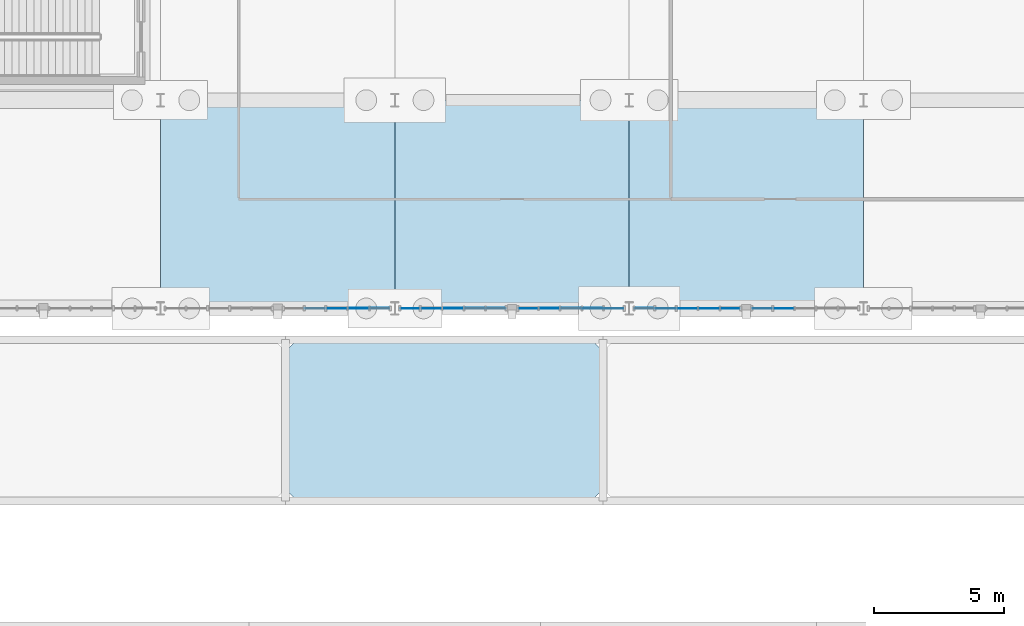
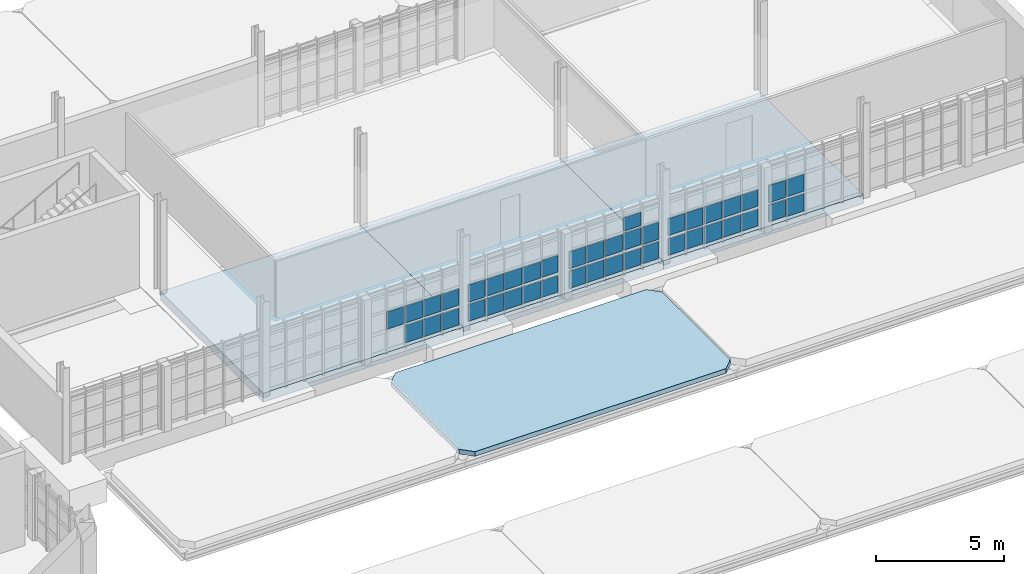
# One storey, part 85 of 125: 42 plates, 4 slabs, 5 elements without a shape of their own.
"""IFC4 building model written with IfcOpenShell, lengths in metres."""

from ifc_helpers import new_model, si_unit, direction, frame, origin, origin_2d, place, context, subcontext, project, spatial, polyline, rectangle, outline, extrude, material, layer, layer_set, type_object, element, aggregate, save


model = new_model("IFC4")

# Units and contexts
model_context = context("Model", 3, precision=1e-05, world=origin(), true_north=direction((0.0, 1.0)))
body_context = subcontext(model_context, "Body", "Model", "MODEL_VIEW")
ifc_project = project(units=[si_unit("LENGTHUNIT", "METRE"), si_unit("AREAUNIT", "SQUARE_METRE"), si_unit("VOLUMEUNIT", "CUBIC_METRE"), si_unit("PLANEANGLEUNIT", "RADIAN"), si_unit("MASSUNIT", "GRAM", prefix="KILO")], contexts=[model_context])

# Site, building, storey
site_placement = place(None, origin())
site = spatial("IfcSite", under=ifc_project, at=site_placement, CompositionType="ELEMENT")
building_placement = place(site_placement, origin())
building = spatial("IfcBuilding", under=site, at=building_placement, Name="Serraforn Aerial Cableway Station", CompositionType="ELEMENT")
storey_placement = place(building_placement, frame((0.0, 0.0, 4.5)))
storey = spatial("IfcBuildingStorey", under=building, at=storey_placement, Name="L01", CompositionType="ELEMENT", Elevation=4.5)

# Curtain wall, plates
ifc_material_1 = material(Name="Anodised bronze unitised curtain wall")
curtain_wall_type_1 = type_object("IfcCurtainWallType", Name="CW-SYS-17", PredefinedType="USERDEFINED", material=ifc_material_1)
curtain_wall_1_placement = place(storey_placement, origin())
curtain_wall_1 = element("IfcCurtainWall", 1, at=curtain_wall_1_placement, inside=storey, type_object=curtain_wall_type_1, Name="Unitised Curtain Wall CW-EL-L01-S4A", ObjectType="UNITISED CURTAIN WALL", PredefinedType="USERDEFINED")
ifc_material_2 = material(Name="Solar-control low-E double glazing", Category="glass")
ifc_layer_1 = layer(ifc_material_2, 0.02587890625)
ifc_layer_set_1 = layer_set([ifc_layer_1], Name="Solar-control low-E double glazing")
plate_type_1 = type_object("IfcPlateType", Name="CW-GLZ-1", PredefinedType="CURTAIN_PANEL", material=ifc_layer_set_1)
plate_1_placement = place(storey_placement, frame((123.43896484375, 26.0, 1.118896484375), z_axis=(0.0, 0.0, 1.0), x_axis=(1.0, 0.0, 0.0)))
plate_1 = element("IfcPlate", 2, at=plate_1_placement, type_object=plate_type_1, Name="Curtain Wall Panel CW-EL-L01-S4A-P3-2", PredefinedType="CURTAIN_PANEL", context=body_context, shape_type="SweptSolid", body=[
    extrude(rectangle(XDim=0.7734375, YDim=0.02587890625, at=origin_2d()), origin(), (0.0, 0.0, 1.0), 0.8125),
])
plate_2_placement = place(storey_placement, frame((124.26708984375, 26.0, 0.182861328125), z_axis=(0.0, 0.0, 1.0), x_axis=(1.0, 0.0, 0.0)))
plate_2 = element("IfcPlate", 3, at=plate_2_placement, type_object=plate_type_1, Name="Curtain Wall Panel CW-EL-L01-S4A-P4-1", PredefinedType="CURTAIN_PANEL", context=body_context, shape_type="SweptSolid", body=[
    extrude(rectangle(XDim=0.781005859375, YDim=0.02587890625, at=origin_2d()), origin(), (0.0, 0.0, 1.0), 0.8125),
])

# Curtain wall, plate
curtain_wall_type_2 = type_object("IfcCurtainWallType", Name="CW-SYS-18", PredefinedType="USERDEFINED", material=ifc_material_1)
curtain_wall_2_placement = place(storey_placement, origin())
curtain_wall_2 = element("IfcCurtainWall", 4, at=curtain_wall_2_placement, inside=storey, type_object=curtain_wall_type_2, Name="Unitised Curtain Wall CW-EL-L01-S4B", ObjectType="UNITISED CURTAIN WALL", PredefinedType="USERDEFINED")
plate_3_placement = place(storey_placement, frame((127.13671875, 26.0, 1.118896484375), z_axis=(0.0, 0.0, 1.0), x_axis=(1.0, 0.0, 0.0)))
plate_3 = element("IfcPlate", 5, at=plate_3_placement, type_object=plate_type_1, Name="Curtain Wall Panel CW-EL-L01-S4B-P2-2", PredefinedType="CURTAIN_PANEL", context=body_context, shape_type="SweptSolid", body=[
    extrude(rectangle(XDim=0.7734375, YDim=0.02587890625, at=origin_2d()), origin(), (0.0, 0.0, 1.0), 0.8125),
])

curtain_wall_type_3 = type_object("IfcCurtainWallType", Name="CW-SYS-13", PredefinedType="USERDEFINED", material=ifc_material_1)
curtain_wall_3_placement = place(storey_placement, origin())
curtain_wall_3 = element("IfcCurtainWall", 6, at=curtain_wall_3_placement, inside=storey, type_object=curtain_wall_type_3, Name="Unitised Curtain Wall CW-EL-L01-S3A", ObjectType="UNITISED CURTAIN WALL", PredefinedType="USERDEFINED")
ifc_layer_2 = layer(ifc_material_2, 0.028076171875)
ifc_layer_set_2 = layer_set([ifc_layer_2], Name="Solar-control low-E double glazing")
plate_type_2 = type_object("IfcPlateType", Name="CW-GLZ-2", PredefinedType="CURTAIN_PANEL", material=ifc_layer_set_2)
plate_4_placement = place(storey_placement, frame((112.781494140625, 26.0, 0.20556640625), z_axis=(0.0, 0.0, 1.0), x_axis=(1.0, 0.0, 0.0)))
plate_4 = element("IfcPlate", 7, at=plate_4_placement, type_object=plate_type_2, Name="Curtain Wall Panel CW-EL-L01-S3A-P1-1", PredefinedType="CURTAIN_PANEL", context=body_context, shape_type="SweptSolid", body=[
    extrude(rectangle(XDim=0.73095703125, YDim=0.028076171875, at=origin_2d()), origin(), (0.0, 0.0, 1.0), 0.802490234375),
])

# Plate
plate_5_placement = place(storey_placement, frame((124.26708984375, 26.0, 1.12646484375), z_axis=(0.0, 0.0, 1.0), x_axis=(1.0, 0.0, 0.0)))
plate_5 = element("IfcPlate", 8, at=plate_5_placement, type_object=plate_type_2, Name="Curtain Wall Panel CW-EL-L01-S4A-P4-2", PredefinedType="CURTAIN_PANEL", context=body_context, shape_type="SweptSolid", body=[
    extrude(rectangle(XDim=0.781005859375, YDim=0.028076171875, at=origin_2d()), origin(), (0.0, 0.0, 1.0), 0.797607421875),
])

plate_6_placement = place(storey_placement, frame((125.085205078125, 26.0, 0.1904296875), z_axis=(0.0, 0.0, 1.0), x_axis=(1.0, 0.0, 0.0)))
plate_6 = element("IfcPlate", 9, at=plate_6_placement, type_object=plate_type_2, Name="Curtain Wall Panel CW-EL-L01-S4A-P5-1", PredefinedType="CURTAIN_PANEL", context=body_context, shape_type="SweptSolid", body=[
    extrude(rectangle(XDim=0.743408203125, YDim=0.028076171875, at=origin_2d()), origin(), (0.0, 0.0, 1.0), 0.797607421875),
])

# Curtain wall, plates
curtain_wall_type_4 = type_object("IfcCurtainWallType", Name="CW-SYS-12", PredefinedType="USERDEFINED", material=ifc_material_1)
curtain_wall_4_placement = place(storey_placement, origin())
curtain_wall_4 = element("IfcCurtainWall", 10, at=curtain_wall_4_placement, inside=storey, type_object=curtain_wall_type_4, Name="Unitised Curtain Wall CW-EL-L01-S2B", ObjectType="UNITISED CURTAIN WALL", PredefinedType="USERDEFINED")
ifc_layer_3 = layer(ifc_material_2, 0.030029296875)
ifc_layer_set_3 = layer_set([ifc_layer_3], Name="Solar-control low-E double glazing")
plate_type_3 = type_object("IfcPlateType", Name="CW-GLZ-3", PredefinedType="CURTAIN_PANEL", material=ifc_layer_set_3)
plate_7_placement = place(storey_placement, frame((109.13037109375, 26.0, 1.11376953125), z_axis=(0.0, 0.0, 1.0), x_axis=(1.0, 0.0, 0.0)))
plate_7 = element("IfcPlate", 11, at=plate_7_placement, type_object=plate_type_3, Name="Curtain Wall Panel CW-EL-L01-S2B-P2-2", PredefinedType="CURTAIN_PANEL", context=body_context, shape_type="SweptSolid", body=[
    extrude(rectangle(XDim=0.765869140625, YDim=0.030029296875, at=origin_2d()), origin(), (0.0, 0.0, 1.0), 0.824951171875),
])
plate_8_placement = place(storey_placement, frame((109.970947265625, 26.0, 0.177734375), z_axis=(0.0, 0.0, 1.0), x_axis=(1.0, 0.0, 0.0)))
plate_8 = element("IfcPlate", 12, at=plate_8_placement, type_object=plate_type_3, Name="Curtain Wall Panel CW-EL-L01-S2B-P3-1", PredefinedType="CURTAIN_PANEL", context=body_context, shape_type="SweptSolid", body=[
    extrude(rectangle(XDim=0.7734375, YDim=0.030029296875, at=origin_2d()), origin(), (0.0, 0.0, 1.0), 0.824951171875),
])

# Plate
plate_9_placement = place(storey_placement, frame((112.781494140625, 26.0, 1.11376953125), z_axis=(0.0, 0.0, 1.0), x_axis=(1.0, 0.0, 0.0)))
plate_9 = element("IfcPlate", 13, at=plate_9_placement, type_object=plate_type_3, Name="Curtain Wall Panel CW-EL-L01-S3A-P1-2", PredefinedType="CURTAIN_PANEL", context=body_context, shape_type="SweptSolid", body=[
    extrude(rectangle(XDim=0.73095703125, YDim=0.030029296875, at=origin_2d()), origin(), (0.0, 0.0, 1.0), 0.824951171875),
])

plate_10_placement = place(storey_placement, frame((113.6044921875, 26.0, 0.177734375), z_axis=(0.0, 0.0, 1.0), x_axis=(1.0, 0.0, 0.0)))
plate_10 = element("IfcPlate", 14, at=plate_10_placement, type_object=plate_type_3, Name="Curtain Wall Panel CW-EL-L01-S3A-P2-1", PredefinedType="CURTAIN_PANEL", context=body_context, shape_type="SweptSolid", body=[
    extrude(rectangle(XDim=0.7734375, YDim=0.030029296875, at=origin_2d()), origin(), (0.0, 0.0, 1.0), 0.824951171875),
])

# Curtain wall, plate
curtain_wall_type_5 = type_object("IfcCurtainWallType", Name="CW-SYS-14", PredefinedType="USERDEFINED", material=ifc_material_1)
curtain_wall_5_placement = place(storey_placement, origin())
curtain_wall_5 = element("IfcCurtainWall", 15, at=curtain_wall_5_placement, inside=storey, type_object=curtain_wall_type_5, Name="Unitised Curtain Wall CW-EL-L01-S3B", ObjectType="UNITISED CURTAIN WALL", PredefinedType="USERDEFINED")
plate_11_placement = place(storey_placement, frame((117.32080078125, 26.0, 0.177734375), z_axis=(0.0, 0.0, 1.0), x_axis=(1.0, 0.0, 0.0)))
plate_11 = element("IfcPlate", 16, at=plate_11_placement, type_object=plate_type_3, Name="Curtain Wall Panel CW-EL-L01-S3B-P1-1", PredefinedType="CURTAIN_PANEL", context=body_context, shape_type="SweptSolid", body=[
    extrude(rectangle(XDim=0.73583984375, YDim=0.030029296875, at=origin_2d()), origin(), (0.0, 0.0, 1.0), 0.824951171875),
])

# Plate
plate_12_placement = place(storey_placement, frame((125.085205078125, 26.0, 1.1337890625), z_axis=(0.0, 0.0, 1.0), x_axis=(1.0, 0.0, 0.0)))
plate_12 = element("IfcPlate", 17, at=plate_12_placement, type_object=plate_type_3, Name="Curtain Wall Panel CW-EL-L01-S4A-P5-2", PredefinedType="CURTAIN_PANEL", context=body_context, shape_type="SweptSolid", body=[
    extrude(rectangle(XDim=0.743408203125, YDim=0.030029296875, at=origin_2d()), origin(), (0.0, 0.0, 1.0), 0.782470703125),
])

ifc_layer_4 = layer(ifc_material_2, 0.031982421875)
ifc_layer_set_4 = layer_set([ifc_layer_4], Name="Solar-control low-E double glazing")
plate_type_4 = type_object("IfcPlateType", Name="CW-GLZ-4", PredefinedType="CURTAIN_PANEL", material=ifc_layer_set_4)
plate_13_placement = place(storey_placement, frame((109.970947265625, 26.0, 1.118896484375), z_axis=(0.0, 0.0, 1.0), x_axis=(1.0, 0.0, 0.0)))
plate_13 = element("IfcPlate", 18, at=plate_13_placement, type_object=plate_type_4, Name="Curtain Wall Panel CW-EL-L01-S2B-P3-2", PredefinedType="CURTAIN_PANEL", context=body_context, shape_type="SweptSolid", body=[
    extrude(rectangle(XDim=0.7734375, YDim=0.031982421875, at=origin_2d()), origin(), (0.0, 0.0, 1.0), 0.8125),
])

plate_14_placement = place(storey_placement, frame((110.799072265625, 26.0, 0.182861328125), z_axis=(0.0, 0.0, 1.0), x_axis=(1.0, 0.0, 0.0)))
plate_14 = element("IfcPlate", 19, at=plate_14_placement, type_object=plate_type_4, Name="Curtain Wall Panel CW-EL-L01-S2B-P4-1", PredefinedType="CURTAIN_PANEL", context=body_context, shape_type="SweptSolid", body=[
    extrude(rectangle(XDim=0.781005859375, YDim=0.031982421875, at=origin_2d()), origin(), (0.0, 0.0, 1.0), 0.8125),
])

plate_15_placement = place(storey_placement, frame((113.6044921875, 26.0, 1.118896484375), z_axis=(0.0, 0.0, 1.0), x_axis=(1.0, 0.0, 0.0)))
plate_15 = element("IfcPlate", 20, at=plate_15_placement, type_object=plate_type_4, Name="Curtain Wall Panel CW-EL-L01-S3A-P2-2", PredefinedType="CURTAIN_PANEL", context=body_context, shape_type="SweptSolid", body=[
    extrude(rectangle(XDim=0.7734375, YDim=0.031982421875, at=origin_2d()), origin(), (0.0, 0.0, 1.0), 0.8125),
])

plate_16_placement = place(storey_placement, frame((114.4326171875, 26.0, 0.182861328125), z_axis=(0.0, 0.0, 1.0), x_axis=(1.0, 0.0, 0.0)))
plate_16 = element("IfcPlate", 21, at=plate_16_placement, type_object=plate_type_4, Name="Curtain Wall Panel CW-EL-L01-S3A-P3-1", PredefinedType="CURTAIN_PANEL", context=body_context, shape_type="SweptSolid", body=[
    extrude(rectangle(XDim=0.781005859375, YDim=0.031982421875, at=origin_2d()), origin(), (0.0, 0.0, 1.0), 0.8125),
])

plate_17_placement = place(storey_placement, frame((117.32080078125, 26.0, 1.118896484375), z_axis=(0.0, 0.0, 1.0), x_axis=(1.0, 0.0, 0.0)))
plate_17 = element("IfcPlate", 22, at=plate_17_placement, type_object=plate_type_4, Name="Curtain Wall Panel CW-EL-L01-S3B-P1-2", PredefinedType="CURTAIN_PANEL", context=body_context, shape_type="SweptSolid", body=[
    extrude(rectangle(XDim=0.73583984375, YDim=0.031982421875, at=origin_2d()), origin(), (0.0, 0.0, 1.0), 0.8125),
])

plate_18_placement = place(storey_placement, frame((118.13037109375, 26.0, 0.182861328125), z_axis=(0.0, 0.0, 1.0), x_axis=(1.0, 0.0, 0.0)))
plate_18 = element("IfcPlate", 23, at=plate_18_placement, type_object=plate_type_4, Name="Curtain Wall Panel CW-EL-L01-S3B-P2-1", PredefinedType="CURTAIN_PANEL", context=body_context, shape_type="SweptSolid", body=[
    extrude(rectangle(XDim=0.781005859375, YDim=0.031982421875, at=origin_2d()), origin(), (0.0, 0.0, 1.0), 0.8125),
])

ifc_layer_5 = layer(ifc_material_2, 0.033935546875)
ifc_layer_set_5 = layer_set([ifc_layer_5], Name="Solar-control low-E double glazing")
plate_type_5 = type_object("IfcPlateType", Name="CW-GLZ-5", PredefinedType="CURTAIN_PANEL", material=ifc_layer_set_5)
plate_19_placement = place(storey_placement, frame((110.799072265625, 26.0, 1.12646484375), z_axis=(0.0, 0.0, 1.0), x_axis=(1.0, 0.0, 0.0)))
plate_19 = element("IfcPlate", 24, at=plate_19_placement, type_object=plate_type_5, Name="Curtain Wall Panel CW-EL-L01-S2B-P4-2", PredefinedType="CURTAIN_PANEL", context=body_context, shape_type="SweptSolid", body=[
    extrude(rectangle(XDim=0.781005859375, YDim=0.033935546875, at=origin_2d()), origin(), (0.0, 0.0, 1.0), 0.797607421875),
])

plate_20_placement = place(storey_placement, frame((111.6171875, 26.0, 0.1904296875), z_axis=(0.0, 0.0, 1.0), x_axis=(1.0, 0.0, 0.0)))
plate_20 = element("IfcPlate", 25, at=plate_20_placement, type_object=plate_type_5, Name="Curtain Wall Panel CW-EL-L01-S2B-P5-1", PredefinedType="CURTAIN_PANEL", context=body_context, shape_type="SweptSolid", body=[
    extrude(rectangle(XDim=0.743408203125, YDim=0.033935546875, at=origin_2d()), origin(), (0.0, 0.0, 1.0), 0.797607421875),
])

plate_21_placement = place(storey_placement, frame((114.4326171875, 26.0, 1.12646484375), z_axis=(0.0, 0.0, 1.0), x_axis=(1.0, 0.0, 0.0)))
plate_21 = element("IfcPlate", 26, at=plate_21_placement, type_object=plate_type_5, Name="Curtain Wall Panel CW-EL-L01-S3A-P3-2", PredefinedType="CURTAIN_PANEL", context=body_context, shape_type="SweptSolid", body=[
    extrude(rectangle(XDim=0.781005859375, YDim=0.033935546875, at=origin_2d()), origin(), (0.0, 0.0, 1.0), 0.797607421875),
])

plate_22_placement = place(storey_placement, frame((115.26708984375, 26.0, 0.1904296875), z_axis=(0.0, 0.0, 1.0), x_axis=(1.0, 0.0, 0.0)))
plate_22 = element("IfcPlate", 27, at=plate_22_placement, type_object=plate_type_5, Name="Curtain Wall Panel CW-EL-L01-S3A-P4-1", PredefinedType="CURTAIN_PANEL", context=body_context, shape_type="SweptSolid", body=[
    extrude(rectangle(XDim=0.77587890625, YDim=0.033935546875, at=origin_2d()), origin(), (0.0, 0.0, 1.0), 0.797607421875),
])

plate_23_placement = place(storey_placement, frame((118.13037109375, 26.0, 1.12646484375), z_axis=(0.0, 0.0, 1.0), x_axis=(1.0, 0.0, 0.0)))
plate_23 = element("IfcPlate", 28, at=plate_23_placement, type_object=plate_type_5, Name="Curtain Wall Panel CW-EL-L01-S3B-P2-2", PredefinedType="CURTAIN_PANEL", context=body_context, shape_type="SweptSolid", body=[
    extrude(rectangle(XDim=0.781005859375, YDim=0.033935546875, at=origin_2d()), origin(), (0.0, 0.0, 1.0), 0.797607421875),
])

plate_24_placement = place(storey_placement, frame((118.964599609375, 26.0, 0.1904296875), z_axis=(0.0, 0.0, 1.0), x_axis=(1.0, 0.0, 0.0)))
plate_24 = element("IfcPlate", 29, at=plate_24_placement, type_object=plate_type_5, Name="Curtain Wall Panel CW-EL-L01-S3B-P3-1", PredefinedType="CURTAIN_PANEL", context=body_context, shape_type="SweptSolid", body=[
    extrude(rectangle(XDim=0.77587890625, YDim=0.033935546875, at=origin_2d()), origin(), (0.0, 0.0, 1.0), 0.797607421875),
])

ifc_layer_6 = layer(ifc_material_2, 0.035888671875)
ifc_layer_set_6 = layer_set([ifc_layer_6], Name="Solar-control low-E double glazing")
plate_type_6 = type_object("IfcPlateType", Name="CW-GLZ-6", PredefinedType="CURTAIN_PANEL", material=ifc_layer_set_6)
plate_25_placement = place(storey_placement, frame((111.6171875, 26.0, 1.1337890625), z_axis=(0.0, 0.0, 1.0), x_axis=(1.0, 0.0, 0.0)))
plate_25 = element("IfcPlate", 30, at=plate_25_placement, type_object=plate_type_6, Name="Curtain Wall Panel CW-EL-L01-S2B-P5-2", PredefinedType="CURTAIN_PANEL", context=body_context, shape_type="SweptSolid", body=[
    extrude(rectangle(XDim=0.743408203125, YDim=0.035888671875, at=origin_2d()), origin(), (0.0, 0.0, 1.0), 0.782470703125),
])

aggregate(curtain_wall_4, [plate_7, plate_8, plate_13, plate_14, plate_19, plate_20, plate_25])

plate_26_placement = place(storey_placement, frame((115.26708984375, 26.0, 1.1337890625), z_axis=(0.0, 0.0, 1.0), x_axis=(1.0, 0.0, 0.0)))
plate_26 = element("IfcPlate", 31, at=plate_26_placement, type_object=plate_type_6, Name="Curtain Wall Panel CW-EL-L01-S3A-P4-2", PredefinedType="CURTAIN_PANEL", context=body_context, shape_type="SweptSolid", body=[
    extrude(rectangle(XDim=0.77587890625, YDim=0.035888671875, at=origin_2d()), origin(), (0.0, 0.0, 1.0), 0.782470703125),
])

plate_27_placement = place(storey_placement, frame((116.083984375, 26.0, 0.19775390625), z_axis=(0.0, 0.0, 1.0), x_axis=(1.0, 0.0, 0.0)))
plate_27 = element("IfcPlate", 32, at=plate_27_placement, type_object=plate_type_6, Name="Curtain Wall Panel CW-EL-L01-S3A-P5-1", PredefinedType="CURTAIN_PANEL", context=body_context, shape_type="SweptSolid", body=[
    extrude(rectangle(XDim=0.73583984375, YDim=0.035888671875, at=origin_2d()), origin(), (0.0, 0.0, 1.0), 0.782470703125),
])

plate_28_placement = place(storey_placement, frame((118.964599609375, 26.0, 1.1337890625), z_axis=(0.0, 0.0, 1.0), x_axis=(1.0, 0.0, 0.0)))
plate_28 = element("IfcPlate", 33, at=plate_28_placement, type_object=plate_type_6, Name="Curtain Wall Panel CW-EL-L01-S3B-P3-2", PredefinedType="CURTAIN_PANEL", context=body_context, shape_type="SweptSolid", body=[
    extrude(rectangle(XDim=0.77587890625, YDim=0.035888671875, at=origin_2d()), origin(), (0.0, 0.0, 1.0), 0.782470703125),
])

plate_29_placement = place(storey_placement, frame((119.799072265625, 26.0, 0.19775390625), z_axis=(0.0, 0.0, 1.0), x_axis=(1.0, 0.0, 0.0)))
plate_29 = element("IfcPlate", 34, at=plate_29_placement, type_object=plate_type_6, Name="Curtain Wall Panel CW-EL-L01-S3B-P4-1", PredefinedType="CURTAIN_PANEL", context=body_context, shape_type="SweptSolid", body=[
    extrude(rectangle(XDim=0.77099609375, YDim=0.035888671875, at=origin_2d()), origin(), (0.0, 0.0, 1.0), 0.782470703125),
])

plate_30_placement = place(storey_placement, frame((121.7802734375, 26.0, 0.19775390625), z_axis=(0.0, 0.0, 1.0), x_axis=(1.0, 0.0, 0.0)))
plate_30 = element("IfcPlate", 35, at=plate_30_placement, type_object=plate_type_6, Name="Curtain Wall Panel CW-EL-L01-S4A-P1-1", PredefinedType="CURTAIN_PANEL", context=body_context, shape_type="SweptSolid", body=[
    extrude(rectangle(XDim=0.73828125, YDim=0.035888671875, at=origin_2d()), origin(), (0.0, 0.0, 1.0), 0.782470703125),
])

ifc_layer_7 = layer(ifc_material_2, 0.029052734375)
ifc_layer_set_7 = layer_set([ifc_layer_7], Name="Solar-control low-E double glazing")
plate_type_7 = type_object("IfcPlateType", Name="CW-GLZ-7", PredefinedType="CURTAIN_PANEL", material=ifc_layer_set_7)
plate_31_placement = place(storey_placement, frame((116.083984375, 26.0, 1.14111328125), z_axis=(0.0, 0.0, 1.0), x_axis=(1.0, 0.0, 0.0)))
plate_31 = element("IfcPlate", 36, at=plate_31_placement, type_object=plate_type_7, Name="Curtain Wall Panel CW-EL-L01-S3A-P5-2", PredefinedType="CURTAIN_PANEL", context=body_context, shape_type="SweptSolid", body=[
    extrude(rectangle(XDim=0.73583984375, YDim=0.029052734375, at=origin_2d()), origin(), (0.0, 0.0, 1.0), 0.802490234375),
])

aggregate(curtain_wall_3, [plate_4, plate_9, plate_10, plate_15, plate_16, plate_21, plate_22, plate_26, plate_27, plate_31])

plate_32_placement = place(storey_placement, frame((119.799072265625, 26.0, 1.14111328125), z_axis=(0.0, 0.0, 1.0), x_axis=(1.0, 0.0, 0.0)))
plate_32 = element("IfcPlate", 37, at=plate_32_placement, type_object=plate_type_7, Name="Curtain Wall Panel CW-EL-L01-S3B-P4-2", PredefinedType="CURTAIN_PANEL", context=body_context, shape_type="SweptSolid", body=[
    extrude(rectangle(XDim=0.77099609375, YDim=0.029052734375, at=origin_2d()), origin(), (0.0, 0.0, 1.0), 0.802490234375),
])

plate_33_placement = place(storey_placement, frame((120.61474609375, 26.0, 0.20556640625), z_axis=(0.0, 0.0, 1.0), x_axis=(1.0, 0.0, 0.0)))
plate_33 = element("IfcPlate", 38, at=plate_33_placement, type_object=plate_type_7, Name="Curtain Wall Panel CW-EL-L01-S3B-P5-1", PredefinedType="CURTAIN_PANEL", context=body_context, shape_type="SweptSolid", body=[
    extrude(rectangle(XDim=0.728515625, YDim=0.029052734375, at=origin_2d()), origin(), (0.0, 0.0, 1.0), 0.802490234375),
])

plate_34_placement = place(storey_placement, frame((121.7802734375, 26.0, 1.14111328125), z_axis=(0.0, 0.0, 1.0), x_axis=(1.0, 0.0, 0.0)))
plate_34 = element("IfcPlate", 39, at=plate_34_placement, type_object=plate_type_7, Name="Curtain Wall Panel CW-EL-L01-S4A-P1-2", PredefinedType="CURTAIN_PANEL", context=body_context, shape_type="SweptSolid", body=[
    extrude(rectangle(XDim=0.73828125, YDim=0.029052734375, at=origin_2d()), origin(), (0.0, 0.0, 1.0), 0.802490234375),
])

plate_35_placement = place(storey_placement, frame((122.598388671875, 26.0, 0.20556640625), z_axis=(0.0, 0.0, 1.0), x_axis=(1.0, 0.0, 0.0)))
plate_35 = element("IfcPlate", 40, at=plate_35_placement, type_object=plate_type_7, Name="Curtain Wall Panel CW-EL-L01-S4A-P2-1", PredefinedType="CURTAIN_PANEL", context=body_context, shape_type="SweptSolid", body=[
    extrude(rectangle(XDim=0.765869140625, YDim=0.029052734375, at=origin_2d()), origin(), (0.0, 0.0, 1.0), 0.802490234375),
])

plate_36_placement = place(storey_placement, frame((126.3134765625, 26.0, 0.20556640625), z_axis=(0.0, 0.0, 1.0), x_axis=(1.0, 0.0, 0.0)))
plate_36 = element("IfcPlate", 41, at=plate_36_placement, type_object=plate_type_7, Name="Curtain Wall Panel CW-EL-L01-S4B-P1-1", PredefinedType="CURTAIN_PANEL", context=body_context, shape_type="SweptSolid", body=[
    extrude(rectangle(XDim=0.73095703125, YDim=0.029052734375, at=origin_2d()), origin(), (0.0, 0.0, 1.0), 0.802490234375),
])

ifc_layer_8 = layer(ifc_material_2, 0.031005859375)
ifc_layer_set_8 = layer_set([ifc_layer_8], Name="Solar-control low-E double glazing")
plate_type_8 = type_object("IfcPlateType", Name="CW-GLZ-8", PredefinedType="CURTAIN_PANEL", material=ifc_layer_set_8)
plate_37_placement = place(storey_placement, frame((119.799072265625, 26.0, 2.0498046875), z_axis=(0.0, 0.0, 1.0), x_axis=(1.0, 0.0, 0.0)))
plate_37 = element("IfcPlate", 42, at=plate_37_placement, type_object=plate_type_8, Name="Curtain Wall Panel CW-EL-L01-S3B-P4-3", PredefinedType="CURTAIN_PANEL", context=body_context, shape_type="SweptSolid", body=[
    extrude(rectangle(XDim=0.77099609375, YDim=0.031005859375, at=origin_2d()), origin(), (0.0, 0.0, 1.0), 0.6376953125),
])

plate_38_placement = place(storey_placement, frame((120.61474609375, 26.0, 1.11376953125), z_axis=(0.0, 0.0, 1.0), x_axis=(1.0, 0.0, 0.0)))
plate_38 = element("IfcPlate", 43, at=plate_38_placement, type_object=plate_type_8, Name="Curtain Wall Panel CW-EL-L01-S3B-P5-2", PredefinedType="CURTAIN_PANEL", context=body_context, shape_type="SweptSolid", body=[
    extrude(rectangle(XDim=0.728515625, YDim=0.031005859375, at=origin_2d()), origin(), (0.0, 0.0, 1.0), 0.824951171875),
])

aggregate(curtain_wall_5, [plate_11, plate_17, plate_18, plate_23, plate_24, plate_28, plate_29, plate_32, plate_37, plate_33, plate_38])

plate_39_placement = place(storey_placement, frame((122.598388671875, 26.0, 1.11376953125), z_axis=(0.0, 0.0, 1.0), x_axis=(1.0, 0.0, 0.0)))
plate_39 = element("IfcPlate", 44, at=plate_39_placement, type_object=plate_type_8, Name="Curtain Wall Panel CW-EL-L01-S4A-P2-2", PredefinedType="CURTAIN_PANEL", context=body_context, shape_type="SweptSolid", body=[
    extrude(rectangle(XDim=0.765869140625, YDim=0.031005859375, at=origin_2d()), origin(), (0.0, 0.0, 1.0), 0.824951171875),
])

plate_40_placement = place(storey_placement, frame((123.43896484375, 26.0, 0.177734375), z_axis=(0.0, 0.0, 1.0), x_axis=(1.0, 0.0, 0.0)))
plate_40 = element("IfcPlate", 45, at=plate_40_placement, type_object=plate_type_8, Name="Curtain Wall Panel CW-EL-L01-S4A-P3-1", PredefinedType="CURTAIN_PANEL", context=body_context, shape_type="SweptSolid", body=[
    extrude(rectangle(XDim=0.7734375, YDim=0.031005859375, at=origin_2d()), origin(), (0.0, 0.0, 1.0), 0.824951171875),
])

aggregate(curtain_wall_1, [plate_30, plate_34, plate_35, plate_39, plate_40, plate_1, plate_2, plate_5, plate_6, plate_12])

plate_41_placement = place(storey_placement, frame((126.3134765625, 26.0, 1.11376953125), z_axis=(0.0, 0.0, 1.0), x_axis=(1.0, 0.0, 0.0)))
plate_41 = element("IfcPlate", 46, at=plate_41_placement, type_object=plate_type_8, Name="Curtain Wall Panel CW-EL-L01-S4B-P1-2", PredefinedType="CURTAIN_PANEL", context=body_context, shape_type="SweptSolid", body=[
    extrude(rectangle(XDim=0.73095703125, YDim=0.031005859375, at=origin_2d()), origin(), (0.0, 0.0, 1.0), 0.824951171875),
])

plate_42_placement = place(storey_placement, frame((127.13671875, 26.0, 0.177734375), z_axis=(0.0, 0.0, 1.0), x_axis=(1.0, 0.0, 0.0)))
plate_42 = element("IfcPlate", 47, at=plate_42_placement, type_object=plate_type_8, Name="Curtain Wall Panel CW-EL-L01-S4B-P2-1", PredefinedType="CURTAIN_PANEL", context=body_context, shape_type="SweptSolid", body=[
    extrude(rectangle(XDim=0.7734375, YDim=0.031005859375, at=origin_2d()), origin(), (0.0, 0.0, 1.0), 0.824951171875),
])

aggregate(curtain_wall_2, [plate_36, plate_41, plate_42, plate_3])

# Slabs
ifc_material_3 = material(Name="Concrete C35/45", Category="concrete")
ifc_layer_9 = layer(ifc_material_3, 0.419921875)
ifc_layer_set_9 = layer_set([ifc_layer_9], Name="Concrete C35/45")
slab_type_1 = type_object("IfcSlabType", Name="SLB-BASE-420", PredefinedType="BASESLAB", material=ifc_layer_set_9)
slab_1_placement = place(storey_placement, frame((0.0, 0.0, -0.419921875)))
element("IfcSlab", 48, at=slab_1_placement, inside=storey, type_object=slab_type_1, Name="Floor Slab EL-L01-2-1", PredefinedType="BASESLAB", context=body_context, shape_type="SweptSolid", body=[
    extrude(outline(polyline([(103.199951171875, 26.0), (112.199951171875, 26.0), (112.199951171875, 34.0), (103.199951171875, 34.0), (103.199951171875, 26.0)])), origin(), (0.0, 0.0, 1.0), 0.419921875),
])
slab_2_placement = place(storey_placement, frame((0.0, 0.0, -0.419921875)))
element("IfcSlab", 49, at=slab_2_placement, inside=storey, type_object=slab_type_1, Name="Floor Slab EL-L01-3-1", PredefinedType="BASESLAB", context=body_context, shape_type="SweptSolid", body=[
    extrude(outline(polyline([(112.199951171875, 26.0), (121.199951171875, 26.0), (121.199951171875, 34.0), (112.199951171875, 34.0), (112.199951171875, 26.0)])), origin(), (0.0, 0.0, 1.0), 0.419921875),
])
slab_3_placement = place(storey_placement, frame((0.0, 0.0, -0.419921875)))
element("IfcSlab", 50, at=slab_3_placement, inside=storey, type_object=slab_type_1, Name="Floor Slab EL-L01-4-1", PredefinedType="BASESLAB", context=body_context, shape_type="SweptSolid", body=[
    extrude(outline(polyline([(121.199951171875, 26.0), (130.199951171875, 26.0), (130.199951171875, 34.0), (121.199951171875, 34.0), (121.199951171875, 26.0)])), origin(), (0.0, 0.0, 1.0), 0.419921875),
])
ifc_layer_10 = layer(ifc_material_3, 0.22509765625)
ifc_layer_set_10 = layer_set([ifc_layer_10], Name="Concrete C35/45")
slab_type_2 = type_object("IfcSlabType", Name="SLB-ROOF-225", PredefinedType="ROOF", material=ifc_layer_set_10)
slab_4_placement = place(storey_placement, frame((0.0, 0.0, -0.344970703125)))
element("IfcSlab", 51, at=slab_4_placement, inside=storey, type_object=slab_type_2, Name="Colonnade Canopy Roof C-2-1", PredefinedType="ROOF", context=body_context, shape_type="SweptSolid", body=[
    extrude(outline(polyline([(108.449951171875, 18.60009765625), (119.75, 18.60009765625), (120.199951171875, 19.050048828125), (120.199951171875, 24.35009765625), (119.75, 24.800048828125), (108.449951171875, 24.800048828125), (108.0, 24.35009765625), (108.0, 19.050048828125), (108.449951171875, 18.60009765625)])), origin(), (0.0, 0.0, 1.0), 0.224853515625),
])

save(model, "model.ifc")
